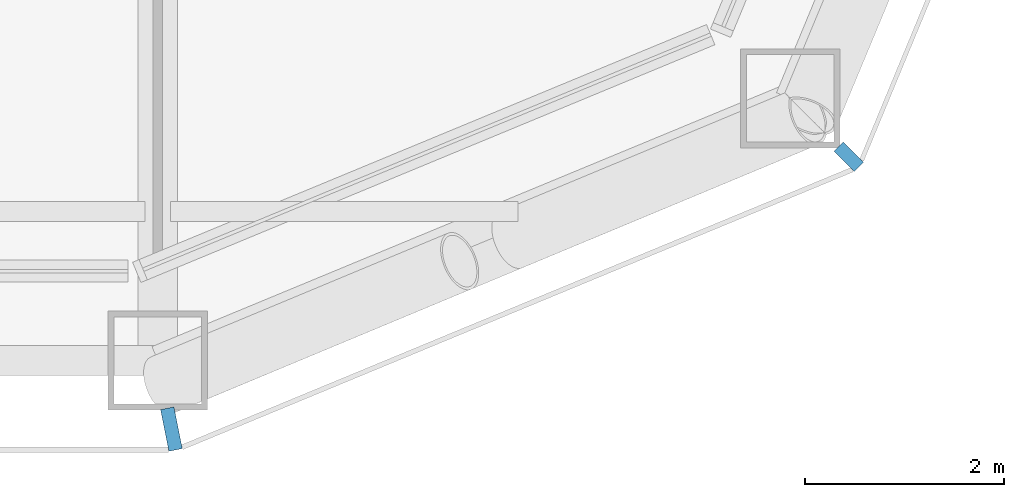
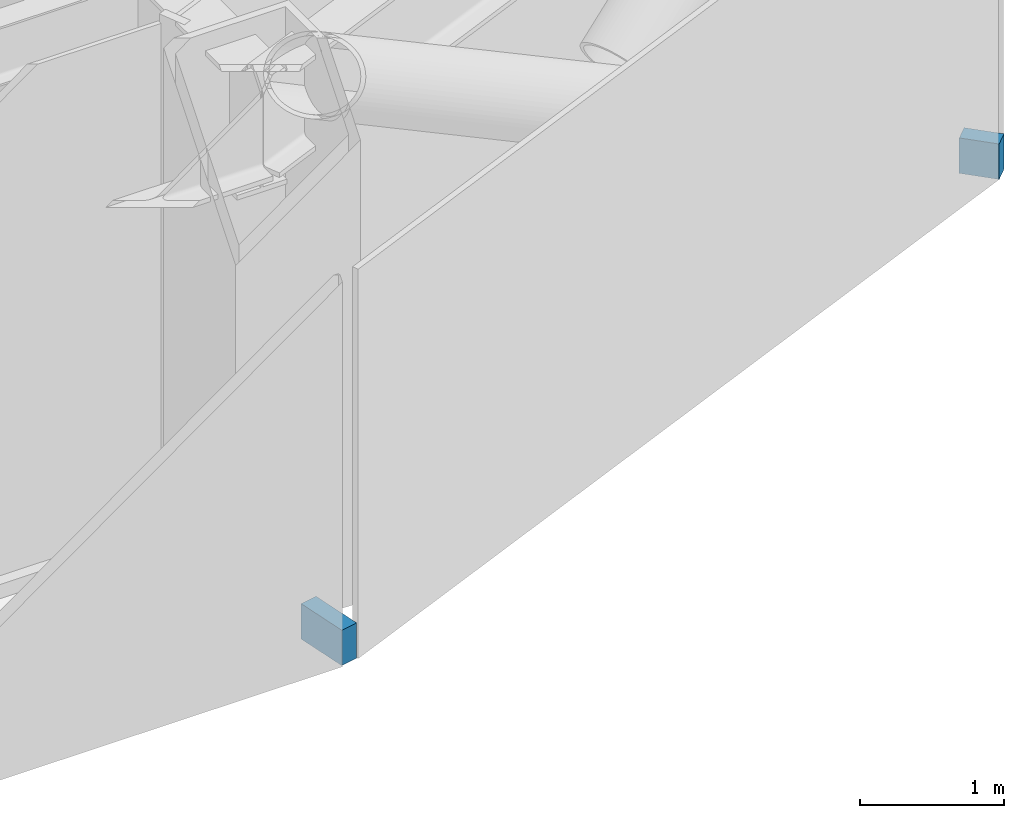
# One storey, part 17 of 25: 2 discrete accessories.
"""IFC4 building model written with IfcOpenShell, lengths in metres."""

from ifc_helpers import new_model, si_unit, direction, frame, origin, origin_2d, place, context, subcontext, project, spatial, rectangle, extrude, material, type_object, element, save


model = new_model("IFC4")

# Units and contexts
model_context = context("Model", 3, precision=1e-05, world=origin(), true_north=direction((0.0, 1.0)))
body_context = subcontext(model_context, "Body", "Model", "MODEL_VIEW")
ifc_project = project(units=[si_unit("LENGTHUNIT", "METRE"), si_unit("AREAUNIT", "SQUARE_METRE"), si_unit("VOLUMEUNIT", "CUBIC_METRE"), si_unit("PLANEANGLEUNIT", "RADIAN"), si_unit("MASSUNIT", "GRAM", prefix="KILO")], contexts=[model_context])

# Site, building, storey
site_placement = place(None, origin())
site = spatial("IfcSite", under=ifc_project, at=site_placement, CompositionType="ELEMENT")
building_placement = place(site_placement, origin())
building = spatial("IfcBuilding", under=site, at=building_placement, Name="Siwar Civic Tower", CompositionType="ELEMENT")
storey_placement = place(building_placement, frame((0.0, 0.0, 58.199951171875)))
storey = spatial("IfcBuildingStorey", under=building, at=storey_placement, Name="L12", CompositionType="ELEMENT", Elevation=58.199951171875)

# Discrete accessories
ifc_material = material(Name="Stainless steel 316", Category="steel")
discrete_accessory_type = type_object("IfcDiscreteAccessoryType", Name="ENV-BRACKET", PredefinedType="BRACKET", material=ifc_material)
discrete_accessory_1_placement = place(storey_placement, frame((22.63720703125, -32.190185546875, -0.14990234375), z_axis=(0.0, 0.0, 1.0), x_axis=(0.195090322016, -0.980785280403, 0.0)))
element("IfcDiscreteAccessory", 1, at=discrete_accessory_1_placement, inside=storey, type_object=discrete_accessory_type, Name="Bracket outer skin joint V01", PredefinedType="BRACKET", context=body_context, shape_type="SweptSolid", body=[
    extrude(rectangle(XDim=0.427734375, YDim=0.13720703125, at=origin_2d()), origin(), (0.0, 0.0, 1.0), 0.300048828125),
])
discrete_accessory_2_placement = place(storey_placement, frame((29.451416015625, -29.451416015625, -0.14990234375), z_axis=(0.0, 0.0, 1.0), x_axis=(0.707106781187, -0.707106781187, 0.0)))
element("IfcDiscreteAccessory", 2, at=discrete_accessory_2_placement, inside=storey, type_object=discrete_accessory_type, Name="Bracket outer skin joint V02", PredefinedType="BRACKET", context=body_context, shape_type="SweptSolid", body=[
    extrude(rectangle(XDim=0.287109375, YDim=0.12939453125, at=origin_2d()), origin(), (0.0, 0.0, 1.0), 0.300048828125),
])

save(model, "model.ifc")
